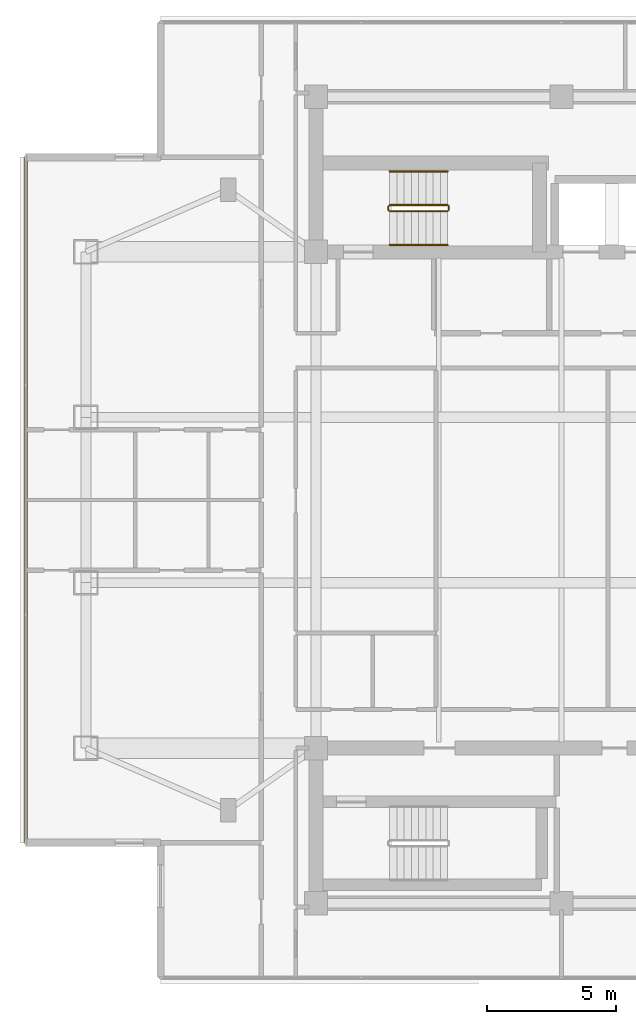
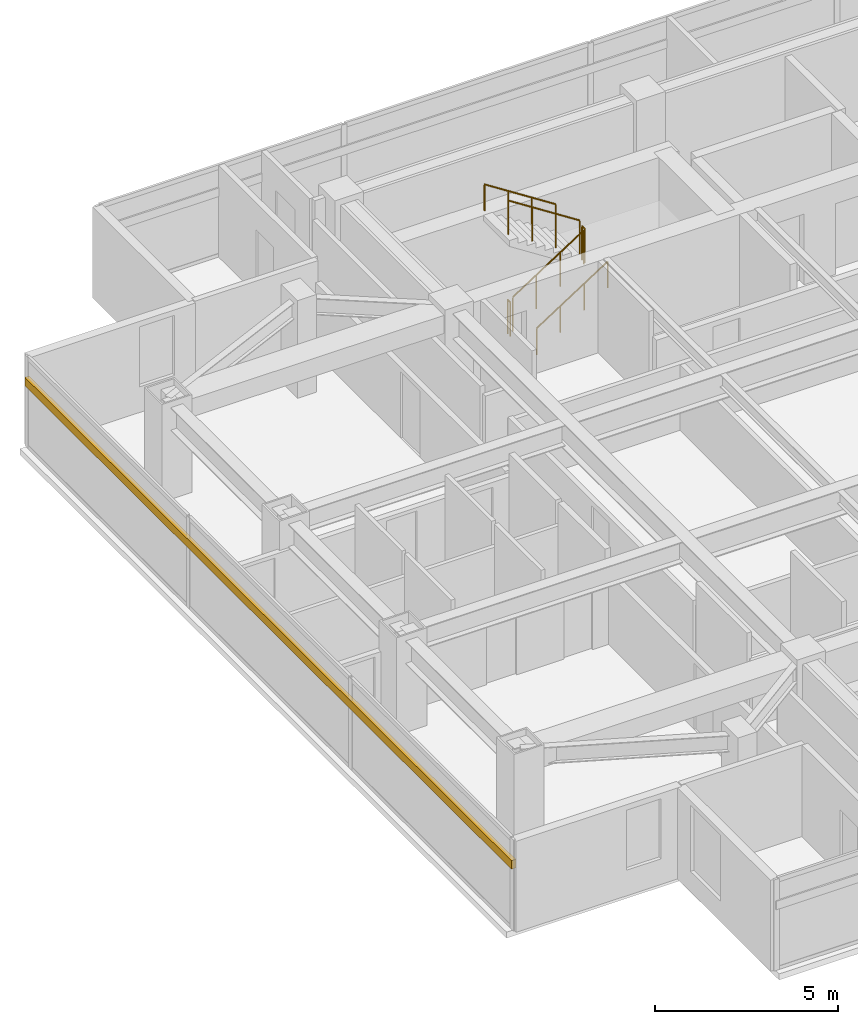
# One storey, part 20 of 24: 6 railings, 1 shading device.
"""IFC4 building model written with IfcOpenShell, lengths in metres."""

from ifc_helpers import new_model, si_unit, direction, frame, origin, origin_2d, place, context, subcontext, project, spatial, rectangle, circle, extrude, material, material_profile, profile_set, type_object, element, save


model = new_model("IFC4")

# Units and contexts
model_context = context("Model", 3, precision=1e-05, world=origin(), true_north=direction((0.0, 1.0)))
body_context = subcontext(model_context, "Body", "Model", "MODEL_VIEW")
ifc_project = project(units=[si_unit("LENGTHUNIT", "METRE"), si_unit("AREAUNIT", "SQUARE_METRE"), si_unit("VOLUMEUNIT", "CUBIC_METRE"), si_unit("PLANEANGLEUNIT", "RADIAN"), si_unit("MASSUNIT", "GRAM", prefix="KILO")], contexts=[model_context])

# Site, building, storey
site_placement = place(None, origin())
site = spatial("IfcSite", under=ifc_project, at=site_placement, CompositionType="ELEMENT")
building_placement = place(site_placement, origin())
building = spatial("IfcBuilding", under=site, at=building_placement, Name="Mirazonda Arch Towers", CompositionType="ELEMENT")
storey_placement = place(building_placement, frame((0.0, 0.0, 199.89990234375)))
storey = spatial("IfcBuildingStorey", under=building, at=storey_placement, Name="L57", CompositionType="ELEMENT", Elevation=199.89990234375)

# Shading device
ifc_material_1 = material(Name="Kiln-Fired Architectural Terracotta", Category="masonry")
ifc_material_profile = material_profile(ifc_material_1, rectangle(XDim=0.139892578125, YDim=0.280029296875, at=origin_2d()), Name="TERRA-BAG-140x280")
ifc_profile_set = profile_set([ifc_material_profile], Name="Kiln-Fired Architectural Terracotta")
shading_device_type = type_object("IfcShadingDeviceType", Name="BAGUETTE-3", PredefinedType="USERDEFINED", material=ifc_profile_set)
shading_device_placement = place(storey_placement, frame((-0.22998046875, 41.264892578125, 2.181640625), z_axis=(0.0, -1.0, 0.0), x_axis=(1.0, 0.0, 0.0)))
element("IfcShadingDevice", 1, at=shading_device_placement, inside=storey, type_object=shading_device_type, Name="L57 Glazed Terracotta Sun-Screen Baguette CW-L57-T1-W", ObjectType="BAGUETTE", PredefinedType="USERDEFINED", context=body_context, shape_type="SweptSolid", body=[
    extrude(rectangle(XDim=0.139892578125, YDim=0.280029296875, at=origin_2d()), origin(), (0.0, 0.0, 1.0), 26.52978515625),
])

# Railings
ifc_material_2 = material(Name="Architectural Brushed Steel S355", Category="steel")
railing_type_1 = type_object("IfcRailingType", Name="GUARD-STAIR-1120", PredefinedType="GUARDRAIL", material=ifc_material_2)
railing_1_placement = place(storey_placement, frame((13.85009765625, 39.169921875, 0.1806640625)))
element("IfcRailing", 2, at=railing_1_placement, inside=storey, type_object=railing_type_1, Name="L57 ST-T1N stair guard 1", PredefinedType="GUARDRAIL", context=body_context, shape_type="SweptSolid", body=[
    extrude(circle(Radius=0.02392578125, at=origin_2d()), frame((0.0, 0.0, 1.1259765625), z_axis=(0.840436612492, 0.0, 0.541909863706), x_axis=(0.0, 1.0, 0.0)), (0.0, 0.0, 1.0), 2.665283203125),
    extrude(circle(Radius=0.02099609375, at=origin_2d()), origin(), (0.0, 0.0, 1.0), 1.101806640625),
    extrude(circle(Radius=0.02099609375, at=origin_2d()), frame((0.74658203125, 0.0, 0.4814453125)), (0.0, 0.0, 1.0), 1.101806640625),
    extrude(circle(Radius=0.02099609375, at=origin_2d()), frame((1.493408203125, 0.0, 0.962890625)), (0.0, 0.0, 1.0), 1.101806640625),
    extrude(circle(Radius=0.02099609375, at=origin_2d()), frame((2.239990234375, 0.0, 1.4443359375)), (0.0, 0.0, 1.0), 1.101806640625),
])
railing_2_placement = place(storey_placement, frame((16.139892578125, 39.219970703125, 1.625)))
element("IfcRailing", 3, at=railing_2_placement, inside=storey, type_object=railing_type_1, Name="L57 ST-T1N stair guard 2", PredefinedType="GUARDRAIL", context=body_context, shape_type="SweptSolid", body=[
    extrude(circle(Radius=0.02392578125, at=origin_2d()), frame((0.0, 0.0, 1.1259765625), z_axis=(0.0, 1.0, 0.0), x_axis=(-1.0, 0.0, 0.0)), (0.0, 0.0, 1.0), 0.14013671875),
    extrude(circle(Radius=0.02099609375, at=origin_2d()), origin(), (0.0, 0.0, 1.0), 1.101806640625),
    extrude(circle(Radius=0.02099609375, at=origin_2d()), frame((0.0, 0.14013671875, 0.0)), (0.0, 0.0, 1.0), 1.101806640625),
])
railing_3_placement = place(storey_placement, frame((16.090087890625, 39.409912109375, 1.8056640625)))
element("IfcRailing", 4, at=railing_3_placement, inside=storey, type_object=railing_type_1, Name="L57 ST-T1N stair guard 3", PredefinedType="GUARDRAIL", context=body_context, shape_type="SweptSolid", body=[
    extrude(circle(Radius=0.02392578125, at=origin_2d()), frame((0.0, 0.0, 1.1259765625), z_axis=(-0.840436612492, 0.0, 0.541909863706), x_axis=(0.0, -1.0, 0.0)), (0.0, 0.0, 1.0), 2.665283203125),
    extrude(circle(Radius=0.02099609375, at=origin_2d()), origin(), (0.0, 0.0, 1.0), 1.101806640625),
    extrude(circle(Radius=0.02099609375, at=origin_2d()), frame((-0.74658203125, 0.0, 0.4814453125)), (0.0, 0.0, 1.0), 1.101806640625),
    extrude(circle(Radius=0.02099609375, at=origin_2d()), frame((-1.493408203125, 0.0, 0.962890625)), (0.0, 0.0, 1.0), 1.101806640625),
    extrude(circle(Radius=0.02099609375, at=origin_2d()), frame((-2.239990234375, 0.0, 1.4443359375)), (0.0, 0.0, 1.0), 1.101806640625),
])
railing_4_placement = place(storey_placement, frame((13.800048828125, 39.219970703125, 0.0)))
element("IfcRailing", 5, at=railing_4_placement, inside=storey, type_object=railing_type_1, Name="L57 ST-T1N stair guard 4", PredefinedType="GUARDRAIL", context=body_context, shape_type="SweptSolid", body=[
    extrude(circle(Radius=0.02392578125, at=origin_2d()), frame((0.0, 0.0, 1.1259765625), z_axis=(0.0, 1.0, 0.0), x_axis=(-1.0, 0.0, 0.0)), (0.0, 0.0, 1.0), 0.14013671875),
    extrude(circle(Radius=0.02099609375, at=origin_2d()), origin(), (0.0, 0.0, 1.0), 1.101806640625),
    extrude(circle(Radius=0.02099609375, at=origin_2d()), frame((0.0, 0.14013671875, 0.0)), (0.0, 0.0, 1.0), 1.101806640625),
])
railing_type_2 = type_object("IfcRailingType", Name="HANDRAIL-915", PredefinedType="HANDRAIL", material=ifc_material_2)
railing_5_placement = place(storey_placement, frame((13.85009765625, 37.8701171875, 0.1806640625)))
element("IfcRailing", 6, at=railing_5_placement, inside=storey, type_object=railing_type_2, Name="L57 ST-T1N stair handrail 1", PredefinedType="HANDRAIL", context=body_context, shape_type="SweptSolid", body=[
    extrude(circle(Radius=0.02392578125, at=origin_2d()), frame((0.0, 0.0, 0.8759765625), z_axis=(0.840436612492, 0.0, 0.541909863706), x_axis=(0.0, 1.0, 0.0)), (0.0, 0.0, 1.0), 2.665283203125),
    extrude(circle(Radius=0.02099609375, at=origin_2d()), origin(), (0.0, 0.0, 1.0), 0.851806640625),
    extrude(circle(Radius=0.02099609375, at=origin_2d()), frame((0.74658203125, 0.0, 0.4814453125)), (0.0, 0.0, 1.0), 0.851806640625),
    extrude(circle(Radius=0.02099609375, at=origin_2d()), frame((1.493408203125, 0.0, 0.962890625)), (0.0, 0.0, 1.0), 0.851806640625),
    extrude(circle(Radius=0.02099609375, at=origin_2d()), frame((2.239990234375, 0.0, 1.4443359375)), (0.0, 0.0, 1.0), 0.851806640625),
])
railing_6_placement = place(storey_placement, frame((16.090087890625, 40.7099609375, 1.8056640625)))
element("IfcRailing", 7, at=railing_6_placement, inside=storey, type_object=railing_type_2, Name="L57 ST-T1N stair handrail 2", PredefinedType="HANDRAIL", context=body_context, shape_type="SweptSolid", body=[
    extrude(circle(Radius=0.02392578125, at=origin_2d()), frame((0.0, 0.0, 0.8759765625), z_axis=(-0.840436612492, 0.0, 0.541909863706), x_axis=(0.0, -1.0, 0.0)), (0.0, 0.0, 1.0), 2.665283203125),
    extrude(circle(Radius=0.02099609375, at=origin_2d()), origin(), (0.0, 0.0, 1.0), 0.851806640625),
    extrude(circle(Radius=0.02099609375, at=origin_2d()), frame((-0.74658203125, 0.0, 0.4814453125)), (0.0, 0.0, 1.0), 0.851806640625),
    extrude(circle(Radius=0.02099609375, at=origin_2d()), frame((-1.493408203125, 0.0, 0.962890625)), (0.0, 0.0, 1.0), 0.851806640625),
    extrude(circle(Radius=0.02099609375, at=origin_2d()), frame((-2.239990234375, 0.0, 1.4443359375)), (0.0, 0.0, 1.0), 0.851806640625),
])

save(model, "model.ifc")
